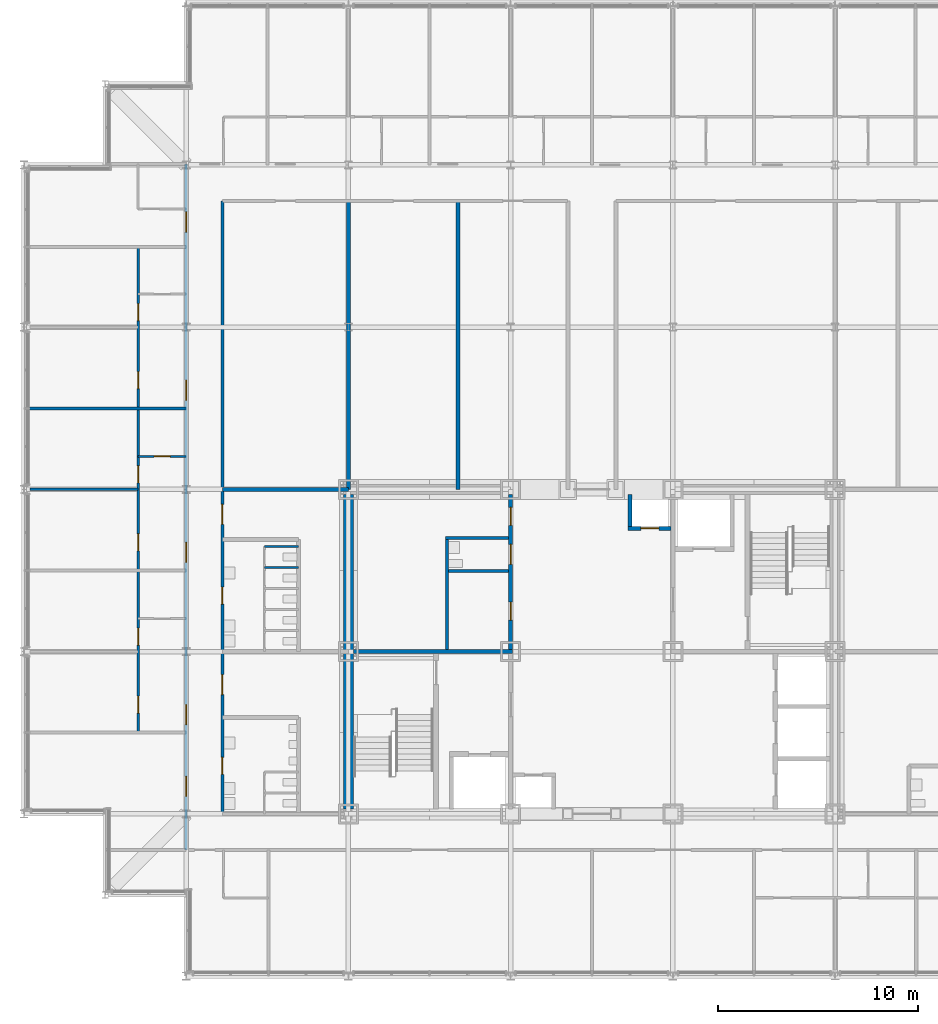
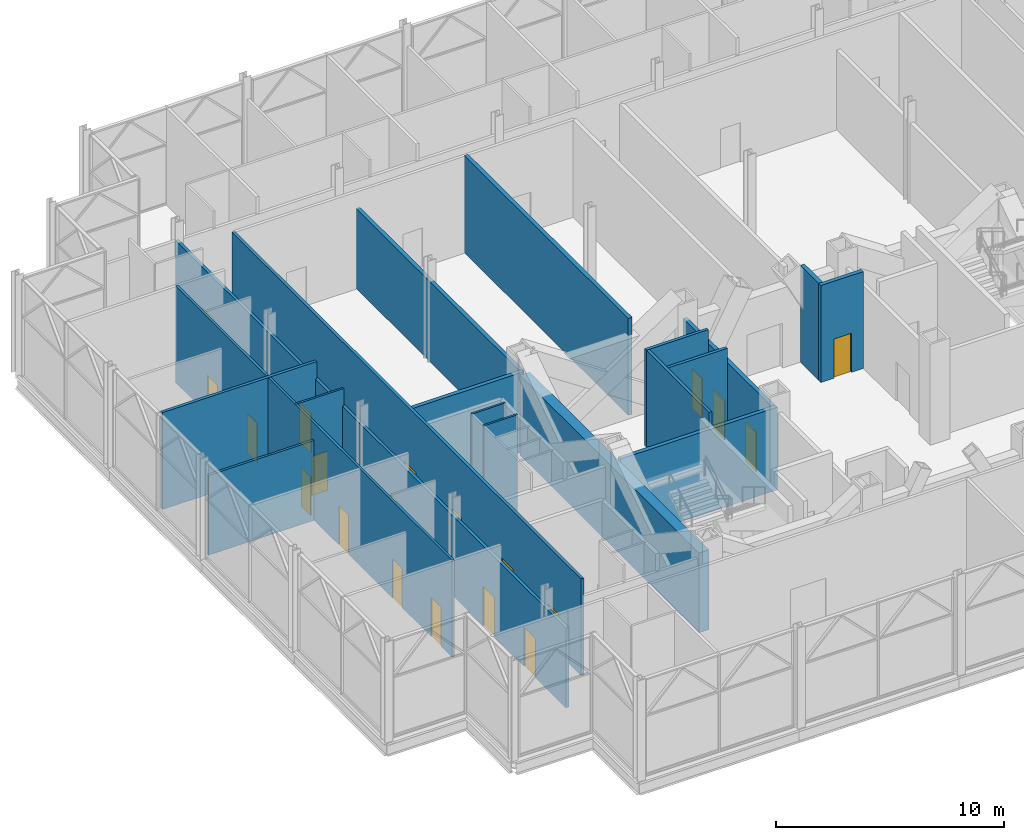
# One storey, part 20 of 26: 20 doors, 19 walls, 20 openings.
"""IFC4 building model written with IfcOpenShell, lengths in metres."""

from ifc_helpers import new_model, si_unit, direction, frame, frame_2d, origin, place, context, subcontext, project, spatial, rectangle, extrude, material, layer, layer_set, type_object, element, fill, save


model = new_model("IFC4")

# Units and contexts
model_context = context("Model", 3, precision=1e-05, world=origin(), true_north=direction((0.0, 1.0)))
body_context = subcontext(model_context, "Body", "Model", "MODEL_VIEW")
ifc_project = project(units=[si_unit("LENGTHUNIT", "METRE"), si_unit("AREAUNIT", "SQUARE_METRE"), si_unit("VOLUMEUNIT", "CUBIC_METRE"), si_unit("PLANEANGLEUNIT", "RADIAN"), si_unit("MASSUNIT", "GRAM", prefix="KILO")], contexts=[model_context])

# Site, building, storey
site_placement = place(None, origin())
site = spatial("IfcSite", under=ifc_project, at=site_placement, CompositionType="ELEMENT")
building_placement = place(site_placement, origin())
building = spatial("IfcBuilding", under=site, at=building_placement, Name="Kopane Lantern Tower", CompositionType="ELEMENT")
storey_placement = place(building_placement, frame((0.0, 0.0, 293.10009765625)))
storey = spatial("IfcBuildingStorey", under=building, at=storey_placement, Name="L75", CompositionType="ELEMENT", Elevation=293.10009765625)

# Wall, openings, doors
ifc_material_1 = material(Name="Gypsum board on steel studs", Category="steel")
ifc_layer_1 = layer(ifc_material_1, 0.1201171875)
ifc_layer_set_1 = layer_set([ifc_layer_1], Name="APARTMENT INTERNAL WALL 120")
wall_type_1 = type_object("IfcWallType", Name="APARTMENT INTERNAL WALL 120", PredefinedType="PARTITIONING", material=ifc_layer_set_1)
wall_1_placement = place(storey_placement, frame((5.699951171875, 28.35009765625, 0.0), z_axis=(0.0, 0.0, 1.0), x_axis=(0.0, 1.0, 0.0)))
wall_1 = element("IfcWall", 1, at=wall_1_placement, inside=storey, type_object=wall_type_1, Name="Apartment Internal Wall 120 L75", PredefinedType="PARTITIONING", context=body_context, shape_type="SweptSolid", body=[
    extrude(rectangle(XDim=24.250732421875, YDim=0.1201171875, at=frame_2d((12.12548828125, 0.0))), origin(), (0.0, 0.0, 1.0), 5.18994140625),
])
opening_1_placement = place(wall_1_placement, frame((0.97509765625, 0.0, 0.0)))
opening_1 = element("IfcOpeningElement", 2, at=opening_1_placement, cuts=wall_1, Name="Opening L75-039", PredefinedType="OPENING", context=body_context, shape_type="SweptSolid", body=[
    extrude(rectangle(XDim=0.85009765625, YDim=2.10009765625, at=frame_2d((0.425048828125, 1.050048828125))), frame((0.0, 0.070068359375, 0.0), z_axis=(0.0, -1.0, 0.0), x_axis=(1.0, 0.0, 0.0)), (0.0, 0.0, 1.0), 0.14013671875),
])
opening_2_placement = place(wall_1_placement, frame((4.375, 0.0, 0.0)))
opening_2 = element("IfcOpeningElement", 3, at=opening_2_placement, cuts=wall_1, Name="Opening L75-040", PredefinedType="OPENING", context=body_context, shape_type="SweptSolid", body=[
    extrude(rectangle(XDim=0.85009765625, YDim=2.10009765625, at=frame_2d((0.425048828125, 1.050048828125))), frame((0.0, 0.070068359375, 0.0), z_axis=(0.0, -1.0, 0.0), x_axis=(1.0, 0.0, 0.0)), (0.0, 0.0, 1.0), 0.14013671875),
])
opening_3_placement = place(wall_1_placement, frame((9.074951171875, 0.0, 0.0)))
opening_3 = element("IfcOpeningElement", 4, at=opening_3_placement, cuts=wall_1, Name="Opening L75-043", PredefinedType="OPENING", context=body_context, shape_type="SweptSolid", body=[
    extrude(rectangle(XDim=0.85009765625, YDim=2.10009765625, at=frame_2d((0.425048828125, 1.050048828125))), frame((0.0, 0.070068359375, 0.0), z_axis=(0.0, -1.0, 0.0), x_axis=(1.0, 0.0, 0.0)), (0.0, 0.0, 1.0), 0.14013671875),
])
opening_4_placement = place(wall_1_placement, frame((12.47509765625, 0.0, 0.0)))
opening_4 = element("IfcOpeningElement", 5, at=opening_4_placement, cuts=wall_1, Name="Opening L75-044", PredefinedType="OPENING", context=body_context, shape_type="SweptSolid", body=[
    extrude(rectangle(XDim=0.85009765625, YDim=2.10009765625, at=frame_2d((0.425048828125, 1.050048828125))), frame((0.0, 0.070068359375, 0.0), z_axis=(0.0, -1.0, 0.0), x_axis=(1.0, 0.0, 0.0)), (0.0, 0.0, 1.0), 0.14013671875),
])
opening_5_placement = place(wall_1_placement, frame((17.175048828125, 0.0, 0.0)))
opening_5 = element("IfcOpeningElement", 6, at=opening_5_placement, cuts=wall_1, Name="Opening L75-047", PredefinedType="OPENING", context=body_context, shape_type="SweptSolid", body=[
    extrude(rectangle(XDim=0.85009765625, YDim=2.10009765625, at=frame_2d((0.425048828125, 1.050048828125))), frame((0.0, 0.070068359375, 0.0), z_axis=(0.0, -1.0, 0.0), x_axis=(1.0, 0.0, 0.0)), (0.0, 0.0, 1.0), 0.14013671875),
])
opening_6_placement = place(wall_1_placement, frame((20.574951171875, 0.0, 0.0)))
opening_6 = element("IfcOpeningElement", 7, at=opening_6_placement, cuts=wall_1, Name="Opening L75-048", PredefinedType="OPENING", context=body_context, shape_type="SweptSolid", body=[
    extrude(rectangle(XDim=0.85009765625, YDim=2.10009765625, at=frame_2d((0.425048828125, 1.050048828125))), frame((0.0, 0.070068359375, 0.0), z_axis=(0.0, -1.0, 0.0), x_axis=(1.0, 0.0, 0.0)), (0.0, 0.0, 1.0), 0.14013671875),
])
ifc_material_2 = material(Name="Timber door set", Category="wood")
door_type_1 = type_object("IfcDoorType", Name="DOOR D4 850x2100", OperationType="SINGLE_SWING_LEFT", PredefinedType="DOOR", material=ifc_material_2)
door_1_placement = place(opening_1_placement, origin())
door_1 = element("IfcDoor", 8, at=door_1_placement, inside=storey, type_object=door_type_1, Name="Door L75-039", OperationType="SINGLE_SWING_RIGHT", OverallHeight=2.10009765625, OverallWidth=0.85009765625, PredefinedType="DOOR", context=body_context, shape_type="SweptSolid", body=[
    extrude(rectangle(XDim=0.85009765625, YDim=2.10009765625, at=frame_2d((0.425048828125, 1.050048828125))), frame((0.0, 0.02490234375, 0.0), z_axis=(0.0, -1.0, 0.0), x_axis=(1.0, 0.0, 0.0)), (0.0, 0.0, 1.0), 0.050048828125),
])
fill(opening_1, door_1)
door_2_placement = place(opening_2_placement, origin())
door_2 = element("IfcDoor", 9, at=door_2_placement, inside=storey, type_object=door_type_1, Name="Door L75-040", OperationType="SINGLE_SWING_LEFT", OverallHeight=2.10009765625, OverallWidth=0.85009765625, PredefinedType="DOOR", context=body_context, shape_type="SweptSolid", body=[
    extrude(rectangle(XDim=0.85009765625, YDim=2.10009765625, at=frame_2d((0.425048828125, 1.050048828125))), frame((0.0, 0.02490234375, 0.0), z_axis=(0.0, -1.0, 0.0), x_axis=(1.0, 0.0, 0.0)), (0.0, 0.0, 1.0), 0.050048828125),
])
fill(opening_2, door_2)
door_3_placement = place(opening_3_placement, origin())
door_3 = element("IfcDoor", 10, at=door_3_placement, inside=storey, type_object=door_type_1, Name="Door L75-043", OperationType="SINGLE_SWING_RIGHT", OverallHeight=2.10009765625, OverallWidth=0.85009765625, PredefinedType="DOOR", context=body_context, shape_type="SweptSolid", body=[
    extrude(rectangle(XDim=0.85009765625, YDim=2.10009765625, at=frame_2d((0.425048828125, 1.050048828125))), frame((0.0, 0.02490234375, 0.0), z_axis=(0.0, -1.0, 0.0), x_axis=(1.0, 0.0, 0.0)), (0.0, 0.0, 1.0), 0.050048828125),
])
fill(opening_3, door_3)
door_4_placement = place(opening_4_placement, origin())
door_4 = element("IfcDoor", 11, at=door_4_placement, inside=storey, type_object=door_type_1, Name="Door L75-044", OperationType="SINGLE_SWING_LEFT", OverallHeight=2.10009765625, OverallWidth=0.85009765625, PredefinedType="DOOR", context=body_context, shape_type="SweptSolid", body=[
    extrude(rectangle(XDim=0.85009765625, YDim=2.10009765625, at=frame_2d((0.425048828125, 1.050048828125))), frame((0.0, 0.02490234375, 0.0), z_axis=(0.0, -1.0, 0.0), x_axis=(1.0, 0.0, 0.0)), (0.0, 0.0, 1.0), 0.050048828125),
])
fill(opening_4, door_4)
door_5_placement = place(opening_5_placement, origin())
door_5 = element("IfcDoor", 12, at=door_5_placement, inside=storey, type_object=door_type_1, Name="Door L75-047", OperationType="SINGLE_SWING_RIGHT", OverallHeight=2.10009765625, OverallWidth=0.85009765625, PredefinedType="DOOR", context=body_context, shape_type="SweptSolid", body=[
    extrude(rectangle(XDim=0.85009765625, YDim=2.10009765625, at=frame_2d((0.425048828125, 1.050048828125))), frame((0.0, 0.02490234375, 0.0), z_axis=(0.0, -1.0, 0.0), x_axis=(1.0, 0.0, 0.0)), (0.0, 0.0, 1.0), 0.050048828125),
])
fill(opening_5, door_5)
door_6_placement = place(opening_6_placement, origin())
door_6 = element("IfcDoor", 13, at=door_6_placement, inside=storey, type_object=door_type_1, Name="Door L75-048", OperationType="SINGLE_SWING_LEFT", OverallHeight=2.10009765625, OverallWidth=0.85009765625, PredefinedType="DOOR", context=body_context, shape_type="SweptSolid", body=[
    extrude(rectangle(XDim=0.85009765625, YDim=2.10009765625, at=frame_2d((0.425048828125, 1.050048828125))), frame((0.0, 0.02490234375, 0.0), z_axis=(0.0, -1.0, 0.0), x_axis=(1.0, 0.0, 0.0)), (0.0, 0.0, 1.0), 0.050048828125),
])
fill(opening_6, door_6)

# Wall
wall_2_placement = place(storey_placement, frame((5.699951171875, 40.5, 0.0), z_axis=(0.0, 0.0, 1.0), x_axis=(-1.0, 0.0, 0.0)))
element("IfcWall", 14, at=wall_2_placement, inside=storey, type_object=wall_type_1, Name="Apartment Internal Wall 120 L75", PredefinedType="PARTITIONING", context=body_context, shape_type="SweptSolid", body=[
    extrude(rectangle(XDim=5.39990234375, YDim=0.1201171875, at=frame_2d((2.699951171875, 0.0))), origin(), (0.0, 0.0, 1.0), 4.271484375),
])

# Wall, opening, door
ifc_material_3 = material(Name="Moisture-resistant board on steel studs", Category="steel")
ifc_layer_2 = layer(ifc_material_3, 0.10009765625)
ifc_layer_set_2 = layer_set([ifc_layer_2], Name="BATHROOM WALL 100")
wall_type_2 = type_object("IfcWallType", Name="BATHROOM WALL 100", PredefinedType="PARTITIONING", material=ifc_layer_set_2)
wall_3_placement = place(storey_placement, frame((8.10009765625, 42.14990234375, 0.0), z_axis=(0.0, 0.0, 1.0), x_axis=(-1.0, 0.0, 0.0)))
wall_3 = element("IfcWall", 15, at=wall_3_placement, inside=storey, type_object=wall_type_2, Name="Bathroom Wall 100 L75", PredefinedType="PARTITIONING", context=body_context, shape_type="SweptSolid", body=[
    extrude(rectangle(XDim=2.400146484375, YDim=0.10009765625, at=frame_2d((1.2001953125, 0.0))), origin(), (0.0, 0.0, 1.0), 5.18994140625),
])
opening_7_placement = place(wall_3_placement, frame((0.800048828125, 0.0, 0.0)))
opening_7 = element("IfcOpeningElement", 16, at=opening_7_placement, cuts=wall_3, Name="Opening L75-041", PredefinedType="OPENING", context=body_context, shape_type="SweptSolid", body=[
    extrude(rectangle(XDim=0.800048828125, YDim=2.10009765625, at=frame_2d((0.39990234375, 1.050048828125))), frame((0.0, 0.06005859375, 0.0), z_axis=(0.0, -1.0, 0.0), x_axis=(1.0, 0.0, 0.0)), (0.0, 0.0, 1.0), 0.1201171875),
])
ifc_material_4 = material(Name="Timber door set", Category="wood")
door_type_2 = type_object("IfcDoorType", Name="DOOR D2 800x2100", OperationType="SINGLE_SWING_LEFT", PredefinedType="DOOR", material=ifc_material_4)
door_7_placement = place(opening_7_placement, origin())
door_7 = element("IfcDoor", 17, at=door_7_placement, inside=storey, type_object=door_type_2, Name="Door L75-041", OperationType="SINGLE_SWING_RIGHT", OverallHeight=2.10009765625, OverallWidth=0.800048828125, PredefinedType="DOOR", context=body_context, shape_type="SweptSolid", body=[
    extrude(rectangle(XDim=0.800048828125, YDim=2.10009765625, at=frame_2d((0.39990234375, 1.050048828125))), frame((0.0, 0.02490234375, 0.0), z_axis=(0.0, -1.0, 0.0), x_axis=(1.0, 0.0, 0.0)), (0.0, 0.0, 1.0), 0.050048828125),
])
fill(opening_7, door_7)

# Walls
for number, where, z_axis, x_axis, name in (
    (18, (12.0, 36.60009765625, 0.0), (0.0, 0.0, 1.0), (1.0, 0.0, 0.0), "Bathroom Wall 100 L75"),
    (19, (12.0, 37.64990234375, 0.0), (0.0, 0.0, 1.0), (1.0, 0.0, 0.0), "Bathroom Wall 100 L75"),
):
    element("IfcWall", number, at=place(storey_placement, frame(where, z_axis=z_axis, x_axis=x_axis)), inside=storey, type_object=wall_type_2, Name=name, PredefinedType="PARTITIONING", context=body_context, shape_type="SweptSolid", body=[
        extrude(rectangle(XDim=1.699951171875, YDim=0.10009765625, at=frame_2d((0.85009765625, 0.0))), origin(), (0.0, 0.0, 1.0), 5.18994140625),
    ])
ifc_material_5 = material(Name="Gypsum shaft wall EI 120", Category="gypsum")
ifc_layer_3 = layer(ifc_material_5, 0.5)
ifc_layer_set_3 = layer_set([ifc_layer_3], Name="CORE PERIMETER WALL 500 EI 120")
wall_type_3 = type_object("IfcWallType", Name="CORE PERIMETER WALL 500 EI 120", PredefinedType="SOLIDWALL", material=ifc_layer_set_3)
wall_4_placement = place(storey_placement, frame((16.199951171875, 24.550048828125, 0.0), z_axis=(0.0, 0.0, 1.0), x_axis=(0.0, 1.0, 0.0)))
element("IfcWall", 20, at=wall_4_placement, inside=storey, type_object=wall_type_3, Name="Core shaft wall L75 PW", PredefinedType="SOLIDWALL", context=body_context, shape_type="SweptSolid", body=[
    extrude(rectangle(XDim=15.699951171875, YDim=0.5, at=frame_2d((7.85009765625, 0.0))), origin(), (0.0, 0.0, 1.0), 4.271484375),
])
ifc_material_6 = material(Name="Gypsum partition EI 60", Category="gypsum")
ifc_layer_4 = layer(ifc_material_6, 0.14990234375)
ifc_layer_set_4 = layer_set([ifc_layer_4], Name="CORE ROOM PARTITION 150 EI 60")
wall_type_4 = type_object("IfcWallType", Name="CORE ROOM PARTITION 150 EI 60", PredefinedType="PARTITIONING", material=ifc_layer_set_4)
wall_5_placement = place(storey_placement, frame((21.199951171875, 36.425048828125, 0.0), z_axis=(0.0, 0.0, 1.0), x_axis=(1.0, 0.0, 0.0)))
element("IfcWall", 21, at=wall_5_placement, inside=storey, type_object=wall_type_4, Name="Core room partition L75 WW1", PredefinedType="PARTITIONING", context=body_context, shape_type="SweptSolid", body=[
    extrude(rectangle(XDim=3.0, YDim=0.14990234375, at=frame_2d((1.5, 0.0))), origin(), (0.0, 0.0, 1.0), 5.18994140625),
])
wall_6_placement = place(storey_placement, frame((21.050048828125, 38.074951171875, 0.0), z_axis=(0.0, 0.0, 1.0), x_axis=(1.0, 0.0, 0.0)))
element("IfcWall", 22, at=wall_6_placement, inside=storey, type_object=wall_type_4, Name="Core room partition L75 WW2", PredefinedType="PARTITIONING", context=body_context, shape_type="SweptSolid", body=[
    extrude(rectangle(XDim=3.14990234375, YDim=0.14990234375, at=frame_2d((1.574951171875, 0.0))), origin(), (0.0, 0.0, 1.0), 5.18994140625),
])
wall_7_placement = place(storey_placement, frame((21.125, 32.5, 0.0), z_axis=(0.0, 0.0, 1.0), x_axis=(0.0, 1.0, 0.0)))
element("IfcWall", 23, at=wall_7_placement, inside=storey, type_object=wall_type_4, Name="Core room partition L75 WWB0", PredefinedType="PARTITIONING", context=body_context, shape_type="SweptSolid", body=[
    extrude(rectangle(XDim=5.5, YDim=0.14990234375, at=frame_2d((2.75, 0.0))), origin(), (0.0, 0.0, 1.0), 5.18994140625),
])

# Wall, openings, doors
ifc_material_7 = material(Name="Gypsum partition EI 60", Category="gypsum")
ifc_layer_5 = layer(ifc_material_7, 0.199951171875)
ifc_layer_set_5 = layer_set([ifc_layer_5], Name="CORE ROOM WALL 200 EI 60")
wall_type_5 = type_object("IfcWallType", Name="CORE ROOM WALL 200 EI 60", PredefinedType="PARTITIONING", material=ifc_layer_set_5)
wall_8_placement = place(storey_placement, frame((24.300048828125, 32.5, 0.0), z_axis=(0.0, 0.0, 1.0), x_axis=(0.0, 1.0, 0.0)))
wall_8 = element("IfcWall", 24, at=wall_8_placement, inside=storey, type_object=wall_type_5, Name="Core room wall L75 XW", PredefinedType="PARTITIONING", context=body_context, shape_type="SweptSolid", body=[
    extrude(rectangle(XDim=7.75, YDim=0.199951171875, at=frame_2d((3.875, 0.0))), origin(), (0.0, 0.0, 1.0), 4.427734375),
])
opening_8_placement = place(wall_8_placement, frame((1.47509765625, 0.0, 0.0)))
opening_8 = element("IfcOpeningElement", 25, at=opening_8_placement, cuts=wall_8, Name="Opening 75.C30", PredefinedType="OPENING", context=body_context, shape_type="SweptSolid", body=[
    extrude(rectangle(XDim=0.89990234375, YDim=2.10009765625, at=frame_2d((0.449951171875, 1.050048828125))), frame((0.0, 0.10986328125, 0.0), z_axis=(0.0, -1.0, 0.0), x_axis=(1.0, 0.0, 0.0)), (0.0, 0.0, 1.0), 0.219970703125),
])
opening_9_placement = place(wall_8_placement, frame((4.25, 0.0, 0.0)))
opening_9 = element("IfcOpeningElement", 26, at=opening_9_placement, cuts=wall_8, Name="Opening 75.C31", PredefinedType="OPENING", context=body_context, shape_type="SweptSolid", body=[
    extrude(rectangle(XDim=1.0, YDim=2.10009765625, at=frame_2d((0.5, 1.050048828125))), frame((0.0, 0.10986328125, 0.0), z_axis=(0.0, -1.0, 0.0), x_axis=(1.0, 0.0, 0.0)), (0.0, 0.0, 1.0), 0.219970703125),
])
opening_10_placement = place(wall_8_placement, frame((6.199951171875, 0.0, 0.0)))
opening_10 = element("IfcOpeningElement", 27, at=opening_10_placement, cuts=wall_8, Name="Opening 75.C32", PredefinedType="OPENING", context=body_context, shape_type="SweptSolid", body=[
    extrude(rectangle(XDim=0.89990234375, YDim=2.10009765625, at=frame_2d((0.449951171875, 1.050048828125))), frame((0.0, 0.10986328125, 0.0), z_axis=(0.0, -1.0, 0.0), x_axis=(1.0, 0.0, 0.0)), (0.0, 0.0, 1.0), 0.219970703125),
])
ifc_material_8 = material(Name="Steel door set", Category="steel")
door_type_3 = type_object("IfcDoorType", Name="CORE ROOM DOOR 1000x2100 FD30S", OperationType="SINGLE_SWING_RIGHT", PredefinedType="DOOR", material=ifc_material_8)
door_8_placement = place(opening_9_placement, origin())
door_8 = element("IfcDoor", 28, at=door_8_placement, inside=storey, type_object=door_type_3, Name="Door Staff WC L75", OperationType="SINGLE_SWING_RIGHT", OverallHeight=2.10009765625, OverallWidth=1.0, PredefinedType="DOOR", context=body_context, shape_type="SweptSolid", body=[
    extrude(rectangle(XDim=1.0, YDim=2.10009765625, at=frame_2d((0.5, 1.050048828125))), frame((0.0, 0.02490234375, 0.0), z_axis=(0.0, -1.0, 0.0), x_axis=(1.0, 0.0, 0.0)), (0.0, 0.0, 1.0), 0.050048828125),
])
fill(opening_9, door_8)
ifc_material_9 = material(Name="Steel door set", Category="steel")
door_type_4 = type_object("IfcDoorType", Name="CORE ROOM DOOR 900x2100 FD60", OperationType="SINGLE_SWING_LEFT", PredefinedType="DOOR", material=ifc_material_9)
door_9_placement = place(opening_8_placement, origin())
door_9 = element("IfcDoor", 29, at=door_9_placement, inside=storey, type_object=door_type_4, Name="Door Kitchen linen store L75", OperationType="SINGLE_SWING_LEFT", OverallHeight=2.10009765625, OverallWidth=0.89990234375, PredefinedType="DOOR", context=body_context, shape_type="SweptSolid", body=[
    extrude(rectangle(XDim=0.89990234375, YDim=2.10009765625, at=frame_2d((0.449951171875, 1.050048828125))), frame((0.0, 0.02490234375, 0.0), z_axis=(0.0, -1.0, 0.0), x_axis=(1.0, 0.0, 0.0)), (0.0, 0.0, 1.0), 0.050048828125),
])
fill(opening_8, door_9)
door_10_placement = place(opening_10_placement, origin())
door_10 = element("IfcDoor", 30, at=door_10_placement, inside=storey, type_object=door_type_4, Name="Door Kitchen dry store L75", OperationType="SINGLE_SWING_LEFT", OverallHeight=2.10009765625, OverallWidth=0.89990234375, PredefinedType="DOOR", context=body_context, shape_type="SweptSolid", body=[
    extrude(rectangle(XDim=0.89990234375, YDim=2.10009765625, at=frame_2d((0.449951171875, 1.050048828125))), frame((0.0, 0.02490234375, 0.0), z_axis=(0.0, -1.0, 0.0), x_axis=(1.0, 0.0, 0.0)), (0.0, 0.0, 1.0), 0.050048828125),
])
fill(opening_10, door_10)

ifc_material_10 = material(Name="Gypsum board on steel studs", Category="steel")
ifc_layer_6 = layer(ifc_material_10, 0.14990234375)
ifc_layer_set_6 = layer_set([ifc_layer_6], Name="CORRIDOR WALL 150 EI 60")
wall_type_6 = type_object("IfcWallType", Name="CORRIDOR WALL 150 EI 60", PredefinedType="PARTITIONING", material=ifc_layer_set_6)
wall_9_placement = place(storey_placement, frame((8.10009765625, 22.5, 0.0), z_axis=(0.0, 0.0, 1.0), x_axis=(0.0, 1.0, 0.0)))
wall_9 = element("IfcWall", 31, at=wall_9_placement, inside=storey, type_object=wall_type_6, Name="Corridor Wall 150 Ei 60 L75", PredefinedType="PARTITIONING", context=body_context, shape_type="SweptSolid", body=[
    extrude(rectangle(XDim=34.237548828125, YDim=0.14990234375, at=frame_2d((17.11865234375, 0.0))), origin(), (0.0, 0.0, 1.0), 4.271484375),
])
opening_11_placement = place(wall_9_placement, frame((2.675048828125, 0.0, 0.0)))
opening_11 = element("IfcOpeningElement", 32, at=opening_11_placement, cuts=wall_9, Name="Opening L75-036", PredefinedType="OPENING", context=body_context, shape_type="SweptSolid", body=[
    extrude(rectangle(XDim=1.0, YDim=2.10009765625, at=frame_2d((0.5, 1.050048828125))), frame((0.0, 0.0849609375, 0.0), z_axis=(0.0, -1.0, 0.0), x_axis=(1.0, 0.0, 0.0)), (0.0, 0.0, 1.0), 0.169921875),
])
opening_12_placement = place(wall_9_placement, frame((6.25, 0.0, 0.0)))
opening_12 = element("IfcOpeningElement", 33, at=opening_12_placement, cuts=wall_9, Name="Opening L75-038", PredefinedType="OPENING", context=body_context, shape_type="SweptSolid", body=[
    extrude(rectangle(XDim=1.0, YDim=2.10009765625, at=frame_2d((0.5, 1.050048828125))), frame((0.0, 0.0849609375, 0.0), z_axis=(0.0, -1.0, 0.0), x_axis=(1.0, 0.0, 0.0)), (0.0, 0.0, 1.0), 0.169921875),
])
opening_13_placement = place(wall_9_placement, frame((14.35009765625, 0.0, 0.0)))
opening_13 = element("IfcOpeningElement", 34, at=opening_13_placement, cuts=wall_9, Name="Opening L75-042", PredefinedType="OPENING", context=body_context, shape_type="SweptSolid", body=[
    extrude(rectangle(XDim=1.0, YDim=2.10009765625, at=frame_2d((0.5, 1.050048828125))), frame((0.0, 0.0849609375, 0.0), z_axis=(0.0, -1.0, 0.0), x_axis=(1.0, 0.0, 0.0)), (0.0, 0.0, 1.0), 0.169921875),
])
opening_14_placement = place(wall_9_placement, frame((22.449951171875, 0.0, 0.0)))
opening_14 = element("IfcOpeningElement", 35, at=opening_14_placement, cuts=wall_9, Name="Opening L75-046", PredefinedType="OPENING", context=body_context, shape_type="SweptSolid", body=[
    extrude(rectangle(XDim=1.0, YDim=2.10009765625, at=frame_2d((0.5, 1.050048828125))), frame((0.0, 0.0849609375, 0.0), z_axis=(0.0, -1.0, 0.0), x_axis=(1.0, 0.0, 0.0)), (0.0, 0.0, 1.0), 0.169921875),
])
opening_15_placement = place(wall_9_placement, frame((30.85009765625, 0.0, 0.0)))
opening_15 = element("IfcOpeningElement", 36, at=opening_15_placement, cuts=wall_9, Name="Opening L75-050", PredefinedType="OPENING", context=body_context, shape_type="SweptSolid", body=[
    extrude(rectangle(XDim=1.0, YDim=2.10009765625, at=frame_2d((0.5, 1.050048828125))), frame((0.0, 0.0849609375, 0.0), z_axis=(0.0, -1.0, 0.0), x_axis=(1.0, 0.0, 0.0)), (0.0, 0.0, 1.0), 0.169921875),
])
ifc_material_11 = material(Name="Steel door set", Category="steel")
door_type_5 = type_object("IfcDoorType", Name="DOOR D3 1000x2100 FD30S", OperationType="SINGLE_SWING_LEFT", PredefinedType="DOOR", material=ifc_material_11)
door_11_placement = place(opening_12_placement, origin())
door_11 = element("IfcDoor", 37, at=door_11_placement, inside=storey, type_object=door_type_5, Name="Door L75-038", OperationType="SINGLE_SWING_LEFT", OverallHeight=2.10009765625, OverallWidth=1.0, PredefinedType="DOOR", context=body_context, shape_type="SweptSolid", body=[
    extrude(rectangle(XDim=1.0, YDim=2.10009765625, at=frame_2d((0.5, 1.050048828125))), frame((0.0, 0.02490234375, 0.0), z_axis=(0.0, -1.0, 0.0), x_axis=(1.0, 0.0, 0.0)), (0.0, 0.0, 1.0), 0.050048828125),
])
fill(opening_12, door_11)
door_12_placement = place(opening_13_placement, origin())
door_12 = element("IfcDoor", 38, at=door_12_placement, inside=storey, type_object=door_type_5, Name="Door L75-042", OperationType="SINGLE_SWING_LEFT", OverallHeight=2.10009765625, OverallWidth=1.0, PredefinedType="DOOR", context=body_context, shape_type="SweptSolid", body=[
    extrude(rectangle(XDim=1.0, YDim=2.10009765625, at=frame_2d((0.5, 1.050048828125))), frame((0.0, 0.02490234375, 0.0), z_axis=(0.0, -1.0, 0.0), x_axis=(1.0, 0.0, 0.0)), (0.0, 0.0, 1.0), 0.050048828125),
])
fill(opening_13, door_12)
door_13_placement = place(opening_14_placement, origin())
door_13 = element("IfcDoor", 39, at=door_13_placement, inside=storey, type_object=door_type_5, Name="Door L75-046", OperationType="SINGLE_SWING_LEFT", OverallHeight=2.10009765625, OverallWidth=1.0, PredefinedType="DOOR", context=body_context, shape_type="SweptSolid", body=[
    extrude(rectangle(XDim=1.0, YDim=2.10009765625, at=frame_2d((0.5, 1.050048828125))), frame((0.0, 0.02490234375, 0.0), z_axis=(0.0, -1.0, 0.0), x_axis=(1.0, 0.0, 0.0)), (0.0, 0.0, 1.0), 0.050048828125),
])
fill(opening_14, door_13)
door_14_placement = place(opening_15_placement, origin())
door_14 = element("IfcDoor", 40, at=door_14_placement, inside=storey, type_object=door_type_5, Name="Door L75-050", OperationType="SINGLE_SWING_RIGHT", OverallHeight=2.10009765625, OverallWidth=1.0, PredefinedType="DOOR", context=body_context, shape_type="SweptSolid", body=[
    extrude(rectangle(XDim=1.0, YDim=2.10009765625, at=frame_2d((0.5, 1.050048828125))), frame((0.0, 0.02490234375, 0.0), z_axis=(0.0, -1.0, 0.0), x_axis=(1.0, 0.0, 0.0)), (0.0, 0.0, 1.0), 0.050048828125),
])
fill(opening_15, door_14)
ifc_material_12 = material(Name="Steel door set", Category="steel")
door_type_6 = type_object("IfcDoorType", Name="DOOR D5 1000x2100 FD60", OperationType="SINGLE_SWING_LEFT", PredefinedType="DOOR", material=ifc_material_12)
door_15_placement = place(opening_11_placement, origin())
door_15 = element("IfcDoor", 41, at=door_15_placement, inside=storey, type_object=door_type_6, Name="Door L75-036", OperationType="SINGLE_SWING_RIGHT", OverallHeight=2.10009765625, OverallWidth=1.0, PredefinedType="DOOR", context=body_context, shape_type="SweptSolid", body=[
    extrude(rectangle(XDim=1.0, YDim=2.10009765625, at=frame_2d((0.5, 1.050048828125))), frame((0.0, 0.02490234375, 0.0), z_axis=(0.0, -1.0, 0.0), x_axis=(1.0, 0.0, 0.0)), (0.0, 0.0, 1.0), 0.050048828125),
])
fill(opening_11, door_15)

wall_10_placement = place(storey_placement, frame((9.89990234375, 54.89990234375, 0.0), z_axis=(0.0, 0.0, 1.0), x_axis=(0.0, -1.0, 0.0)))
wall_10 = element("IfcWall", 42, at=wall_10_placement, inside=storey, type_object=wall_type_6, Name="Corridor Wall 150 Ei 60 L75", PredefinedType="PARTITIONING", context=body_context, shape_type="SweptSolid", body=[
    extrude(rectangle(XDim=30.599853515625, YDim=0.14990234375, at=frame_2d((15.2998046875, 0.0))), origin(), (0.0, 0.0, 1.0), 5.18994140625),
])
opening_16_placement = place(wall_10_placement, frame((27.77490234375, 0.0, 0.0)))
opening_16 = element("IfcOpeningElement", 43, at=opening_16_placement, cuts=wall_10, Name="Opening L75-001", PredefinedType="OPENING", context=body_context, shape_type="SweptSolid", body=[
    extrude(rectangle(XDim=0.85009765625, YDim=2.10009765625, at=frame_2d((0.425048828125, 1.050048828125))), frame((0.0, 0.0849609375, 0.0), z_axis=(0.0, -1.0, 0.0), x_axis=(1.0, 0.0, 0.0)), (0.0, 0.0, 1.0), 0.169921875),
])
opening_17_placement = place(wall_10_placement, frame((23.64990234375, 0.0, 0.0)))
opening_17 = element("IfcOpeningElement", 44, at=opening_17_placement, cuts=wall_10, Name="Opening L75-002", PredefinedType="OPENING", context=body_context, shape_type="SweptSolid", body=[
    extrude(rectangle(XDim=1.0, YDim=2.10009765625, at=frame_2d((0.5, 1.050048828125))), frame((0.0, 0.0849609375, 0.0), z_axis=(0.0, -1.0, 0.0), x_axis=(1.0, 0.0, 0.0)), (0.0, 0.0, 1.0), 0.169921875),
])
opening_18_placement = place(wall_10_placement, frame((19.27490234375, 0.0, 0.0)))
opening_18 = element("IfcOpeningElement", 45, at=opening_18_placement, cuts=wall_10, Name="Opening L75-003", PredefinedType="OPENING", context=body_context, shape_type="SweptSolid", body=[
    extrude(rectangle(XDim=0.85009765625, YDim=2.10009765625, at=frame_2d((0.425048828125, 1.050048828125))), frame((0.0, 0.0849609375, 0.0), z_axis=(0.0, -1.0, 0.0), x_axis=(1.0, 0.0, 0.0)), (0.0, 0.0, 1.0), 0.169921875),
])
opening_19_placement = place(wall_10_placement, frame((15.14990234375, 0.0, 0.0)))
opening_19 = element("IfcOpeningElement", 46, at=opening_19_placement, cuts=wall_10, Name="Opening L75-004", PredefinedType="OPENING", context=body_context, shape_type="SweptSolid", body=[
    extrude(rectangle(XDim=1.0, YDim=2.10009765625, at=frame_2d((0.5, 1.050048828125))), frame((0.0, 0.0849609375, 0.0), z_axis=(0.0, -1.0, 0.0), x_axis=(1.0, 0.0, 0.0)), (0.0, 0.0, 1.0), 0.169921875),
])
door_16_placement = place(opening_16_placement, origin())
door_16 = element("IfcDoor", 47, at=door_16_placement, inside=storey, type_object=door_type_1, Name="Door L75-001", OperationType="SINGLE_SWING_RIGHT", OverallHeight=2.10009765625, OverallWidth=0.85009765625, PredefinedType="DOOR", context=body_context, shape_type="SweptSolid", body=[
    extrude(rectangle(XDim=0.85009765625, YDim=2.10009765625, at=frame_2d((0.425048828125, 1.050048828125))), frame((0.0, 0.02490234375, 0.0), z_axis=(0.0, -1.0, 0.0), x_axis=(1.0, 0.0, 0.0)), (0.0, 0.0, 1.0), 0.050048828125),
])
fill(opening_16, door_16)
door_17_placement = place(opening_18_placement, origin())
door_17 = element("IfcDoor", 48, at=door_17_placement, inside=storey, type_object=door_type_1, Name="Door L75-003", OperationType="SINGLE_SWING_RIGHT", OverallHeight=2.10009765625, OverallWidth=0.85009765625, PredefinedType="DOOR", context=body_context, shape_type="SweptSolid", body=[
    extrude(rectangle(XDim=0.85009765625, YDim=2.10009765625, at=frame_2d((0.425048828125, 1.050048828125))), frame((0.0, 0.02490234375, 0.0), z_axis=(0.0, -1.0, 0.0), x_axis=(1.0, 0.0, 0.0)), (0.0, 0.0, 1.0), 0.050048828125),
])
fill(opening_18, door_17)
door_18_placement = place(opening_17_placement, origin())
door_18 = element("IfcDoor", 49, at=door_18_placement, inside=storey, type_object=door_type_6, Name="Door L75-002", OperationType="SINGLE_SWING_LEFT", OverallHeight=2.10009765625, OverallWidth=1.0, PredefinedType="DOOR", context=body_context, shape_type="SweptSolid", body=[
    extrude(rectangle(XDim=1.0, YDim=2.10009765625, at=frame_2d((0.5, 1.050048828125))), frame((0.0, 0.02490234375, 0.0), z_axis=(0.0, -1.0, 0.0), x_axis=(1.0, 0.0, 0.0)), (0.0, 0.0, 1.0), 0.050048828125),
])
fill(opening_17, door_18)
door_19_placement = place(opening_19_placement, origin())
door_19 = element("IfcDoor", 50, at=door_19_placement, inside=storey, type_object=door_type_6, Name="Door L75-004", OperationType="SINGLE_SWING_LEFT", OverallHeight=2.10009765625, OverallWidth=1.0, PredefinedType="DOOR", context=body_context, shape_type="SweptSolid", body=[
    extrude(rectangle(XDim=1.0, YDim=2.10009765625, at=frame_2d((0.5, 1.050048828125))), frame((0.0, 0.02490234375, 0.0), z_axis=(0.0, -1.0, 0.0), x_axis=(1.0, 0.0, 0.0)), (0.0, 0.0, 1.0), 0.050048828125),
])
fill(opening_19, door_19)

# Walls
ifc_material_13 = material(Name="Gypsum board on steel studs", Category="steel")
ifc_layer_7 = layer(ifc_material_13, 0.14990234375)
ifc_layer_set_7 = layer_set([ifc_layer_7], Name="DEMISING WALL 150 EI 60")
wall_type_7 = type_object("IfcWallType", Name="DEMISING WALL 150 EI 60", PredefinedType="PARTITIONING", material=ifc_layer_set_7)
wall_11_placement = place(storey_placement, frame((8.10009765625, 44.550048828125, 0.0), z_axis=(0.0, 0.0, 1.0), x_axis=(-1.0, 0.0, 0.0)))
element("IfcWall", 51, at=wall_11_placement, inside=storey, type_object=wall_type_7, Name="Demising Wall 150 Ei 60 L75", PredefinedType="PARTITIONING", context=body_context, shape_type="SweptSolid", body=[
    extrude(rectangle(XDim=7.822021484375, YDim=0.14990234375, at=frame_2d((3.9111328125, 0.0))), origin(), (0.0, 0.0, 1.0), 5.18994140625),
])
ifc_material_14 = material(Name="Concrete masonry", Category="masonry")
ifc_layer_8 = layer(ifc_material_14, 0.199951171875)
ifc_layer_set_8 = layer_set([ifc_layer_8], Name="PLANT ROOM WALL 200 EI 120")
wall_type_8 = type_object("IfcWallType", Name="PLANT ROOM WALL 200 EI 120", PredefinedType="SOLIDWALL", material=ifc_layer_set_8)
wall_12_placement = place(storey_placement, frame((16.199951171875, 40.5, 0.0), z_axis=(0.0, 0.0, 1.0), x_axis=(0.0, 1.0, 0.0)))
element("IfcWall", 52, at=wall_12_placement, inside=storey, type_object=wall_type_8, Name="Plant Room Wall 200 Ei 120 L75", PredefinedType="SOLIDWALL", context=body_context, shape_type="SweptSolid", body=[
    extrude(rectangle(XDim=14.39990234375, YDim=0.199951171875, at=frame_2d((7.199951171875, 0.0))), origin(), (0.0, 0.0, 1.0), 4.271484375),
])
wall_13_placement = place(storey_placement, frame((21.675048828125, 54.89990234375, 0.0), z_axis=(0.0, 0.0, 1.0), x_axis=(0.0, -1.0, 0.0)))
element("IfcWall", 53, at=wall_13_placement, inside=storey, type_object=wall_type_8, Name="Plant Room Wall 200 Ei 120 L75", PredefinedType="SOLIDWALL", context=body_context, shape_type="SweptSolid", body=[
    extrude(rectangle(XDim=14.39990234375, YDim=0.199951171875, at=frame_2d((7.199951171875, 0.0))), origin(), (0.0, 0.0, 1.0), 5.18994140625),
])
wall_14_placement = place(storey_placement, frame((9.89990234375, 40.5, 0.0), z_axis=(0.0, 0.0, 1.0), x_axis=(1.0, 0.0, 0.0)))
element("IfcWall", 54, at=wall_14_placement, inside=storey, type_object=wall_type_8, Name="Plant Room Wall 200 Ei 120 L75", PredefinedType="SOLIDWALL", context=body_context, shape_type="SweptSolid", body=[
    extrude(rectangle(XDim=6.300048828125, YDim=0.199951171875, at=frame_2d((3.14990234375, 0.0))), origin(), (0.0, 0.0, 1.0), 4.271484375),
])
ifc_material_15 = material(Name="Gypsum shaft wall EI 120", Category="gypsum")
ifc_layer_9 = layer(ifc_material_15, 0.199951171875)
ifc_layer_set_9 = layer_set([ifc_layer_9], Name="SHAFT WALL 200 EI 120")
wall_type_9 = type_object("IfcWallType", Name="SHAFT WALL 200 EI 120", PredefinedType="SOLIDWALL", material=ifc_layer_set_9)
wall_15_placement = place(storey_placement, frame((16.449951171875, 32.39990234375, 0.0), z_axis=(0.0, 0.0, 1.0), x_axis=(1.0, 0.0, 0.0)))
element("IfcWall", 55, at=wall_15_placement, inside=storey, type_object=wall_type_9, Name="Core shaft wall L75 Y324W", PredefinedType="SOLIDWALL", context=body_context, shape_type="SweptSolid", body=[
    extrude(rectangle(XDim=7.949951171875, YDim=0.199951171875, at=frame_2d((3.97509765625, 0.0))), origin(), (0.0, 0.0, 1.0), 4.427734375),
])
wall_16_placement = place(storey_placement, frame((30.25, 38.64990234375, 0.0), z_axis=(0.0, 0.0, 1.0), x_axis=(0.0, 1.0, 0.0)))
element("IfcWall", 56, at=wall_16_placement, inside=storey, type_object=wall_type_9, Name="Core shaft wall L75 XRS2", PredefinedType="SOLIDWALL", context=body_context, shape_type="SweptSolid", body=[
    extrude(rectangle(XDim=1.60009765625, YDim=0.199951171875, at=frame_2d((0.800048828125, 0.0))), origin(), (0.0, 0.0, 1.0), 5.18994140625),
])

# Wall, opening, door
wall_17_placement = place(storey_placement, frame((30.14990234375, 38.550048828125, 0.0), z_axis=(0.0, 0.0, 1.0), x_axis=(1.0, 0.0, 0.0)))
wall_17 = element("IfcWall", 57, at=wall_17_placement, inside=storey, type_object=wall_type_9, Name="Core shaft wall L75 YRS2", PredefinedType="SOLIDWALL", context=body_context, shape_type="SweptSolid", body=[
    extrude(rectangle(XDim=2.150146484375, YDim=0.199951171875, at=frame_2d((1.0751953125, 0.0))), origin(), (0.0, 0.0, 1.0), 5.18994140625),
])
opening_20_placement = place(wall_17_placement, frame((0.64990234375, 0.0, 0.0)))
opening_20 = element("IfcOpeningElement", 58, at=opening_20_placement, cuts=wall_17, Name="Opening 75.RS2", PredefinedType="OPENING", context=body_context, shape_type="SweptSolid", body=[
    extrude(rectangle(XDim=0.89990234375, YDim=2.10009765625, at=frame_2d((0.449951171875, 1.050048828125))), frame((0.0, 0.10986328125, 0.0), z_axis=(0.0, -1.0, 0.0), x_axis=(1.0, 0.0, 0.0)), (0.0, 0.0, 1.0), 0.219970703125),
])
ifc_material_16 = material(Name="Steel door set", Category="steel")
door_type_7 = type_object("IfcDoorType", Name="RISER ACCESS DOOR 900x2100 FD60", OperationType="SINGLE_SWING_LEFT", PredefinedType="DOOR", material=ifc_material_16)
door_20_placement = place(opening_20_placement, origin())
door_20 = element("IfcDoor", 59, at=door_20_placement, inside=storey, type_object=door_type_7, Name="Riser access door RS2 L75", OperationType="SINGLE_SWING_LEFT", OverallHeight=2.10009765625, OverallWidth=0.89990234375, PredefinedType="DOOR", context=body_context, shape_type="SweptSolid", body=[
    extrude(rectangle(XDim=0.89990234375, YDim=2.10009765625, at=frame_2d((0.449951171875, 1.050048828125))), frame((0.0, 0.02490234375, 0.0), z_axis=(0.0, -1.0, 0.0), x_axis=(1.0, 0.0, 0.0)), (0.0, 0.0, 1.0), 0.050048828125),
])
fill(opening_20, door_20)

save(model, "model.ifc")
